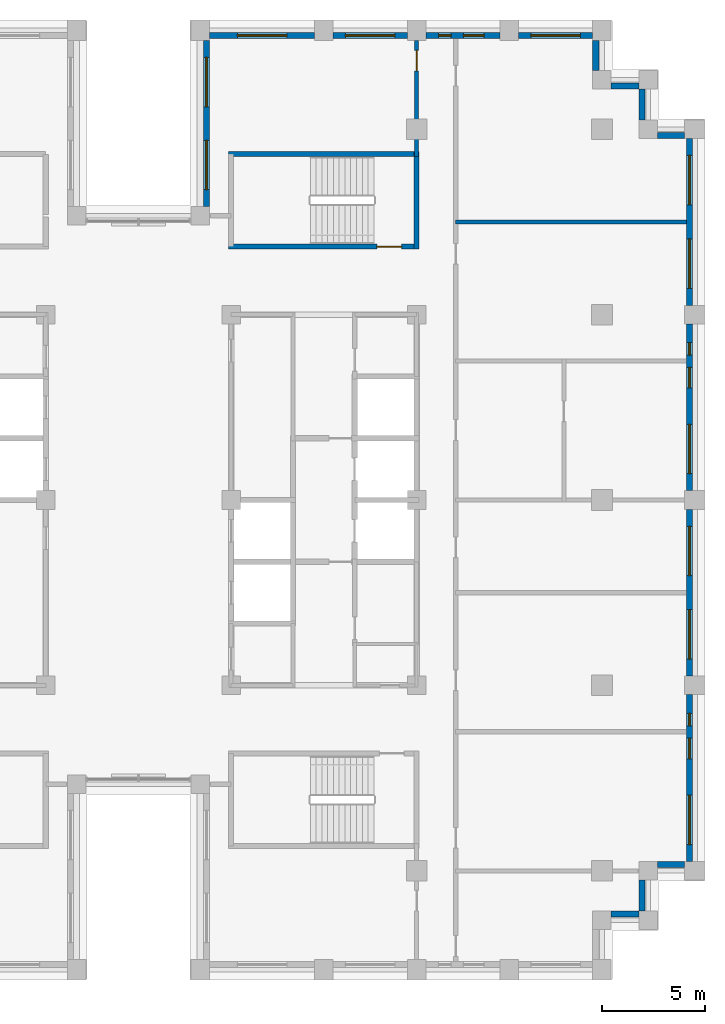
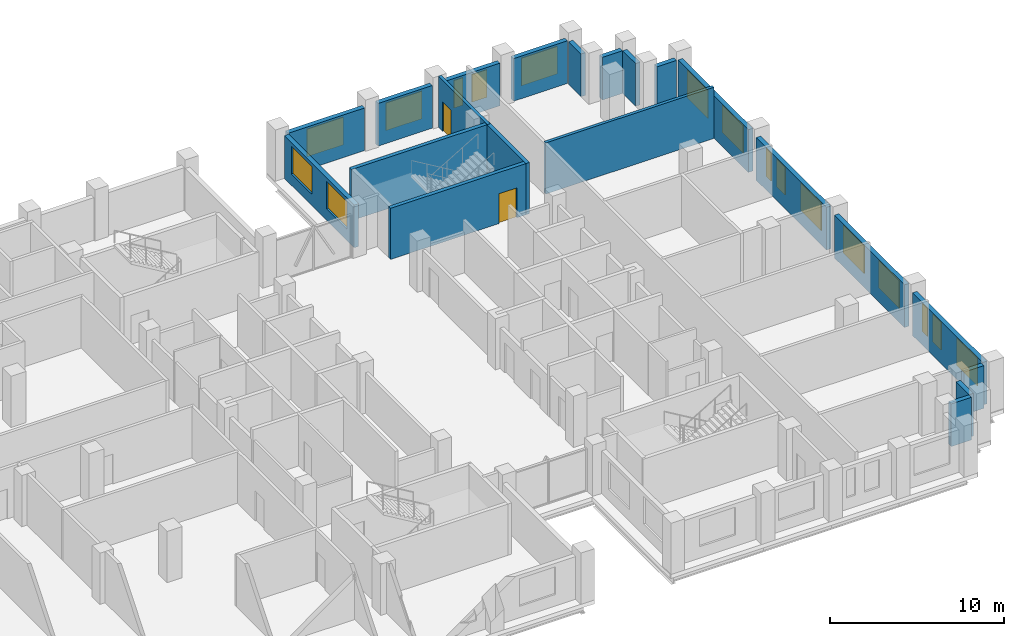
# One storey, part 11 of 15: 21 walls, 17 windows, 2 doors, 19 openings.
"""IFC4 building model written with IfcOpenShell, lengths in metres."""

from ifc_helpers import new_model, si_unit, direction, frame, frame_2d, origin, place, context, subcontext, project, spatial, rectangle, extrude, material, layer, layer_set, type_object, element, fill, save


model = new_model("IFC4")

# Units and contexts
model_context = context("Model", 3, precision=1e-05, world=origin(), true_north=direction((0.0, 1.0)))
body_context = subcontext(model_context, "Body", "Model", "MODEL_VIEW")
ifc_project = project(units=[si_unit("LENGTHUNIT", "METRE"), si_unit("AREAUNIT", "SQUARE_METRE"), si_unit("VOLUMEUNIT", "CUBIC_METRE"), si_unit("PLANEANGLEUNIT", "RADIAN"), si_unit("MASSUNIT", "GRAM", prefix="KILO")], contexts=[model_context])

# Site, building, storey
site_placement = place(None, origin())
site = spatial("IfcSite", under=ifc_project, at=site_placement, CompositionType="ELEMENT")
building_placement = place(site_placement, origin())
building = spatial("IfcBuilding", under=site, at=building_placement, Name="Corbelhall Arena Tower", CompositionType="ELEMENT")
storey_placement = place(building_placement, frame((0.0, 0.0, 232.0)))
storey = spatial("IfcBuildingStorey", under=building, at=storey_placement, Name="L49", CompositionType="ELEMENT", Elevation=232.0)

# Walls
ifc_material_1 = material(Name="Precast concrete C40/50 with granite facing", Category="masonry")
ifc_layer_1 = layer(ifc_material_1, 0.300048828125)
ifc_layer_set_1 = layer_set([ifc_layer_1], Name="EV-IW1 Infill panel 300")
wall_type_1 = type_object("IfcWallType", Name="EV-IW1 Infill panel 300", PredefinedType="SOLIDWALL", material=ifc_layer_set_1)
wall_1_placement = place(storey_placement, frame((22.949951171875, -20.10009765625, 0.0), z_axis=(0.0, 0.0, 1.0), x_axis=(1.0, 0.0, 0.0)))
element("IfcWall", 1, at=wall_1_placement, inside=storey, type_object=wall_type_1, Name="Infill panel IW1", PredefinedType="SOLIDWALL", context=body_context, shape_type="SweptSolid", body=[
    extrude(rectangle(XDim=1.35009765625, YDim=0.300048828125, at=frame_2d((0.675048828125, 0.0))), origin(), (0.0, 0.0, 1.0), 2.99951171875),
])
wall_2_placement = place(storey_placement, frame((24.449951171875, -19.949951171875, 0.0), z_axis=(0.0, 0.0, 1.0), x_axis=(0.0, 1.0, 0.0)))
element("IfcWall", 2, at=wall_2_placement, inside=storey, type_object=wall_type_1, Name="Infill panel IW1", PredefinedType="SOLIDWALL", context=body_context, shape_type="SweptSolid", body=[
    extrude(rectangle(XDim=1.5, YDim=0.300048828125, at=frame_2d((0.75, 0.0))), origin(), (0.0, 0.0, 1.0), 2.99951171875),
])
wall_3_placement = place(storey_placement, frame((25.199951171875, -17.699951171875, 0.0), z_axis=(0.0, 0.0, 1.0), x_axis=(1.0, 0.0, 0.0)))
element("IfcWall", 3, at=wall_3_placement, inside=storey, type_object=wall_type_1, Name="Infill panel IW1", PredefinedType="SOLIDWALL", context=body_context, shape_type="SweptSolid", body=[
    extrude(rectangle(XDim=1.300048828125, YDim=0.300048828125, at=frame_2d((0.64990234375, 0.0))), origin(), (0.0, 0.0, 1.0), 2.99951171875),
])

# Wall, openings, windows
wall_4_placement = place(storey_placement, frame((26.75, -17.550048828125, 0.0), z_axis=(0.0, 0.0, 1.0), x_axis=(0.0, 1.0, 0.0)))
wall_4 = element("IfcWall", 4, at=wall_4_placement, inside=storey, type_object=wall_type_1, Name="Infill panel IW1", PredefinedType="SOLIDWALL", context=body_context, shape_type="SweptSolid", body=[
    extrude(rectangle(XDim=8.10009765625, YDim=0.300048828125, at=frame_2d((4.050048828125, 0.0))), origin(), (0.0, 0.0, 1.0), 2.99951171875),
])
opening_1_placement = place(wall_4_placement, frame((0.824951171875, 0.0, 0.800048828125)))
opening_1 = element("IfcOpeningElement", 5, at=opening_1_placement, cuts=wall_4, Name="Opening WN1", PredefinedType="OPENING", context=body_context, shape_type="SweptSolid", body=[
    extrude(rectangle(XDim=2.39990234375, YDim=1.949951171875, at=frame_2d((1.199951171875, 0.97509765625))), frame((0.0, 0.14990234375, 0.0), z_axis=(0.0, -1.0, 0.0), x_axis=(1.0, 0.0, 0.0)), (0.0, 0.0, 1.0), 0.300048828125),
])
opening_2_placement = place(wall_4_placement, frame((4.987548828125, 0.0, 0.800048828125)))
opening_2 = element("IfcOpeningElement", 6, at=opening_2_placement, cuts=wall_4, Name="Opening WN6", PredefinedType="OPENING", context=body_context, shape_type="SweptSolid", body=[
    extrude(rectangle(XDim=1.0, YDim=1.949951171875, at=frame_2d((0.5, 0.97509765625))), frame((0.0, 0.14990234375, 0.0), z_axis=(0.0, -1.0, 0.0), x_axis=(1.0, 0.0, 0.0)), (0.0, 0.0, 1.0), 0.300048828125),
])
opening_3_placement = place(wall_4_placement, frame((6.58740234375, 0.0, 0.800048828125)))
opening_3 = element("IfcOpeningElement", 7, at=opening_3_placement, cuts=wall_4, Name="Opening WN5", PredefinedType="OPENING", context=body_context, shape_type="SweptSolid", body=[
    extrude(rectangle(XDim=0.60009765625, YDim=1.949951171875, at=frame_2d((0.300048828125, 0.97509765625))), frame((0.0, 0.14990234375, 0.0), z_axis=(0.0, -1.0, 0.0), x_axis=(1.0, 0.0, 0.0)), (0.0, 0.0, 1.0), 0.300048828125),
])
ifc_material_2 = material(Name="Aluminium black anodised", Category="aluminium")
window_type_1 = type_object("IfcWindowType", Name="EV-WN1 Office window", PartitioningType="SINGLE_PANEL", PredefinedType="WINDOW", material=ifc_material_2)
window_1_placement = place(opening_1_placement, origin())
window_1 = element("IfcWindow", 8, at=window_1_placement, inside=storey, type_object=window_type_1, Name="Window WN1", OverallHeight=1.949951171875, OverallWidth=2.39990234375, PartitioningType="SINGLE_PANEL", PredefinedType="WINDOW", context=body_context, shape_type="SweptSolid", body=[
    extrude(rectangle(XDim=2.39990234375, YDim=1.949951171875, at=frame_2d((1.199951171875, 0.97509765625))), frame((0.0, 0.030029296875, 0.0), z_axis=(0.0, -1.0, 0.0), x_axis=(1.0, 0.0, 0.0)), (0.0, 0.0, 1.0), 0.06005859375),
])
fill(opening_1, window_1)
window_type_2 = type_object("IfcWindowType", Name="EV-WN5 Office window 600", PartitioningType="SINGLE_PANEL", PredefinedType="WINDOW", material=ifc_material_2)
window_2_placement = place(opening_3_placement, origin())
window_2 = element("IfcWindow", 9, at=window_2_placement, inside=storey, type_object=window_type_2, Name="Window WN5", OverallHeight=1.949951171875, OverallWidth=0.60009765625, PartitioningType="SINGLE_PANEL", PredefinedType="WINDOW", context=body_context, shape_type="SweptSolid", body=[
    extrude(rectangle(XDim=0.60009765625, YDim=1.949951171875, at=frame_2d((0.300048828125, 0.97509765625))), frame((0.0, 0.030029296875, 0.0), z_axis=(0.0, -1.0, 0.0), x_axis=(1.0, 0.0, 0.0)), (0.0, 0.0, 1.0), 0.06005859375),
])
fill(opening_3, window_2)
window_type_3 = type_object("IfcWindowType", Name="EV-WN6 Office window 1000", PartitioningType="SINGLE_PANEL", PredefinedType="WINDOW", material=ifc_material_2)
window_3_placement = place(opening_2_placement, origin())
window_3 = element("IfcWindow", 10, at=window_3_placement, inside=storey, type_object=window_type_3, Name="Window WN6", OverallHeight=1.949951171875, OverallWidth=1.0, PartitioningType="SINGLE_PANEL", PredefinedType="WINDOW", context=body_context, shape_type="SweptSolid", body=[
    extrude(rectangle(XDim=1.0, YDim=1.949951171875, at=frame_2d((0.5, 0.97509765625))), frame((0.0, 0.030029296875, 0.0), z_axis=(0.0, -1.0, 0.0), x_axis=(1.0, 0.0, 0.0)), (0.0, 0.0, 1.0), 0.06005859375),
])
fill(opening_2, window_3)

wall_5_placement = place(storey_placement, frame((26.75, -8.550048828125, 0.0), z_axis=(0.0, 0.0, 1.0), x_axis=(0.0, 1.0, 0.0)))
wall_5 = element("IfcWall", 11, at=wall_5_placement, inside=storey, type_object=wall_type_1, Name="Infill panel IW1", PredefinedType="SOLIDWALL", context=body_context, shape_type="SweptSolid", body=[
    extrude(rectangle(XDim=8.10009765625, YDim=0.300048828125, at=frame_2d((4.050048828125, 0.0))), origin(), (0.0, 0.0, 1.0), 2.99951171875),
])
opening_4_placement = place(wall_5_placement, frame((0.824951171875, 0.0, 0.800048828125)))
opening_4 = element("IfcOpeningElement", 12, at=opening_4_placement, cuts=wall_5, Name="Opening WN1", PredefinedType="OPENING", context=body_context, shape_type="SweptSolid", body=[
    extrude(rectangle(XDim=2.39990234375, YDim=1.949951171875, at=frame_2d((1.199951171875, 0.97509765625))), frame((0.0, 0.14990234375, 0.0), z_axis=(0.0, -1.0, 0.0), x_axis=(1.0, 0.0, 0.0)), (0.0, 0.0, 1.0), 0.300048828125),
])
opening_5_placement = place(wall_5_placement, frame((4.875, 0.0, 0.800048828125)))
opening_5 = element("IfcOpeningElement", 13, at=opening_5_placement, cuts=wall_5, Name="Opening WN1", PredefinedType="OPENING", context=body_context, shape_type="SweptSolid", body=[
    extrude(rectangle(XDim=2.39990234375, YDim=1.949951171875, at=frame_2d((1.199951171875, 0.97509765625))), frame((0.0, 0.14990234375, 0.0), z_axis=(0.0, -1.0, 0.0), x_axis=(1.0, 0.0, 0.0)), (0.0, 0.0, 1.0), 0.300048828125),
])
window_4_placement = place(opening_4_placement, origin())
window_4 = element("IfcWindow", 14, at=window_4_placement, inside=storey, type_object=window_type_1, Name="Window WN1", OverallHeight=1.949951171875, OverallWidth=2.39990234375, PartitioningType="SINGLE_PANEL", PredefinedType="WINDOW", context=body_context, shape_type="SweptSolid", body=[
    extrude(rectangle(XDim=2.39990234375, YDim=1.949951171875, at=frame_2d((1.199951171875, 0.97509765625))), frame((0.0, 0.030029296875, 0.0), z_axis=(0.0, -1.0, 0.0), x_axis=(1.0, 0.0, 0.0)), (0.0, 0.0, 1.0), 0.06005859375),
])
fill(opening_4, window_4)
window_5_placement = place(opening_5_placement, origin())
window_5 = element("IfcWindow", 15, at=window_5_placement, inside=storey, type_object=window_type_1, Name="Window WN1", OverallHeight=1.949951171875, OverallWidth=2.39990234375, PartitioningType="SINGLE_PANEL", PredefinedType="WINDOW", context=body_context, shape_type="SweptSolid", body=[
    extrude(rectangle(XDim=2.39990234375, YDim=1.949951171875, at=frame_2d((1.199951171875, 0.97509765625))), frame((0.0, 0.030029296875, 0.0), z_axis=(0.0, -1.0, 0.0), x_axis=(1.0, 0.0, 0.0)), (0.0, 0.0, 1.0), 0.06005859375),
])
fill(opening_5, window_5)

wall_6_placement = place(storey_placement, frame((26.75, 0.449951171875, 0.0), z_axis=(0.0, 0.0, 1.0), x_axis=(0.0, 1.0, 0.0)))
wall_6 = element("IfcWall", 16, at=wall_6_placement, inside=storey, type_object=wall_type_1, Name="Infill panel IW1", PredefinedType="SOLIDWALL", context=body_context, shape_type="SweptSolid", body=[
    extrude(rectangle(XDim=8.10009765625, YDim=0.300048828125, at=frame_2d((4.050048828125, 0.0))), origin(), (0.0, 0.0, 1.0), 2.99951171875),
])
opening_6_placement = place(wall_6_placement, frame((0.824951171875, 0.0, 0.800048828125)))
opening_6 = element("IfcOpeningElement", 17, at=opening_6_placement, cuts=wall_6, Name="Opening WN1", PredefinedType="OPENING", context=body_context, shape_type="SweptSolid", body=[
    extrude(rectangle(XDim=2.39990234375, YDim=1.949951171875, at=frame_2d((1.199951171875, 0.97509765625))), frame((0.0, 0.14990234375, 0.0), z_axis=(0.0, -1.0, 0.0), x_axis=(1.0, 0.0, 0.0)), (0.0, 0.0, 1.0), 0.300048828125),
])
opening_7_placement = place(wall_6_placement, frame((4.987548828125, 0.0, 0.800048828125)))
opening_7 = element("IfcOpeningElement", 18, at=opening_7_placement, cuts=wall_6, Name="Opening WN6", PredefinedType="OPENING", context=body_context, shape_type="SweptSolid", body=[
    extrude(rectangle(XDim=1.0, YDim=1.949951171875, at=frame_2d((0.5, 0.97509765625))), frame((0.0, 0.14990234375, 0.0), z_axis=(0.0, -1.0, 0.0), x_axis=(1.0, 0.0, 0.0)), (0.0, 0.0, 1.0), 0.300048828125),
])
opening_8_placement = place(wall_6_placement, frame((6.58740234375, 0.0, 0.800048828125)))
opening_8 = element("IfcOpeningElement", 19, at=opening_8_placement, cuts=wall_6, Name="Opening WN5", PredefinedType="OPENING", context=body_context, shape_type="SweptSolid", body=[
    extrude(rectangle(XDim=0.60009765625, YDim=1.949951171875, at=frame_2d((0.300048828125, 0.97509765625))), frame((0.0, 0.14990234375, 0.0), z_axis=(0.0, -1.0, 0.0), x_axis=(1.0, 0.0, 0.0)), (0.0, 0.0, 1.0), 0.300048828125),
])
window_6_placement = place(opening_6_placement, origin())
window_6 = element("IfcWindow", 20, at=window_6_placement, inside=storey, type_object=window_type_1, Name="Window WN1", OverallHeight=1.949951171875, OverallWidth=2.39990234375, PartitioningType="SINGLE_PANEL", PredefinedType="WINDOW", context=body_context, shape_type="SweptSolid", body=[
    extrude(rectangle(XDim=2.39990234375, YDim=1.949951171875, at=frame_2d((1.199951171875, 0.97509765625))), frame((0.0, 0.030029296875, 0.0), z_axis=(0.0, -1.0, 0.0), x_axis=(1.0, 0.0, 0.0)), (0.0, 0.0, 1.0), 0.06005859375),
])
fill(opening_6, window_6)
window_7_placement = place(opening_8_placement, origin())
window_7 = element("IfcWindow", 21, at=window_7_placement, inside=storey, type_object=window_type_2, Name="Window WN5", OverallHeight=1.949951171875, OverallWidth=0.60009765625, PartitioningType="SINGLE_PANEL", PredefinedType="WINDOW", context=body_context, shape_type="SweptSolid", body=[
    extrude(rectangle(XDim=0.60009765625, YDim=1.949951171875, at=frame_2d((0.300048828125, 0.97509765625))), frame((0.0, 0.030029296875, 0.0), z_axis=(0.0, -1.0, 0.0), x_axis=(1.0, 0.0, 0.0)), (0.0, 0.0, 1.0), 0.06005859375),
])
fill(opening_8, window_7)
window_8_placement = place(opening_7_placement, origin())
window_8 = element("IfcWindow", 22, at=window_8_placement, inside=storey, type_object=window_type_3, Name="Window WN6", OverallHeight=1.949951171875, OverallWidth=1.0, PartitioningType="SINGLE_PANEL", PredefinedType="WINDOW", context=body_context, shape_type="SweptSolid", body=[
    extrude(rectangle(XDim=1.0, YDim=1.949951171875, at=frame_2d((0.5, 0.97509765625))), frame((0.0, 0.030029296875, 0.0), z_axis=(0.0, -1.0, 0.0), x_axis=(1.0, 0.0, 0.0)), (0.0, 0.0, 1.0), 0.06005859375),
])
fill(opening_7, window_8)

wall_7_placement = place(storey_placement, frame((26.75, 9.449951171875, 0.0), z_axis=(0.0, 0.0, 1.0), x_axis=(0.0, 1.0, 0.0)))
wall_7 = element("IfcWall", 23, at=wall_7_placement, inside=storey, type_object=wall_type_1, Name="Infill panel IW1", PredefinedType="SOLIDWALL", context=body_context, shape_type="SweptSolid", body=[
    extrude(rectangle(XDim=8.10009765625, YDim=0.300048828125, at=frame_2d((4.050048828125, 0.0))), origin(), (0.0, 0.0, 1.0), 2.99951171875),
])
opening_9_placement = place(wall_7_placement, frame((0.824951171875, 0.0, 0.800048828125)))
opening_9 = element("IfcOpeningElement", 24, at=opening_9_placement, cuts=wall_7, Name="Opening WN1", PredefinedType="OPENING", context=body_context, shape_type="SweptSolid", body=[
    extrude(rectangle(XDim=2.39990234375, YDim=1.949951171875, at=frame_2d((1.199951171875, 0.97509765625))), frame((0.0, 0.14990234375, 0.0), z_axis=(0.0, -1.0, 0.0), x_axis=(1.0, 0.0, 0.0)), (0.0, 0.0, 1.0), 0.300048828125),
])
opening_10_placement = place(wall_7_placement, frame((4.875, 0.0, 0.800048828125)))
opening_10 = element("IfcOpeningElement", 25, at=opening_10_placement, cuts=wall_7, Name="Opening WN1", PredefinedType="OPENING", context=body_context, shape_type="SweptSolid", body=[
    extrude(rectangle(XDim=2.39990234375, YDim=1.949951171875, at=frame_2d((1.199951171875, 0.97509765625))), frame((0.0, 0.14990234375, 0.0), z_axis=(0.0, -1.0, 0.0), x_axis=(1.0, 0.0, 0.0)), (0.0, 0.0, 1.0), 0.300048828125),
])
window_9_placement = place(opening_9_placement, origin())
window_9 = element("IfcWindow", 26, at=window_9_placement, inside=storey, type_object=window_type_1, Name="Window WN1", OverallHeight=1.949951171875, OverallWidth=2.39990234375, PartitioningType="SINGLE_PANEL", PredefinedType="WINDOW", context=body_context, shape_type="SweptSolid", body=[
    extrude(rectangle(XDim=2.39990234375, YDim=1.949951171875, at=frame_2d((1.199951171875, 0.97509765625))), frame((0.0, 0.030029296875, 0.0), z_axis=(0.0, -1.0, 0.0), x_axis=(1.0, 0.0, 0.0)), (0.0, 0.0, 1.0), 0.06005859375),
])
fill(opening_9, window_9)
window_10_placement = place(opening_10_placement, origin())
window_10 = element("IfcWindow", 27, at=window_10_placement, inside=storey, type_object=window_type_1, Name="Window WN1", OverallHeight=1.949951171875, OverallWidth=2.39990234375, PartitioningType="SINGLE_PANEL", PredefinedType="WINDOW", context=body_context, shape_type="SweptSolid", body=[
    extrude(rectangle(XDim=2.39990234375, YDim=1.949951171875, at=frame_2d((1.199951171875, 0.97509765625))), frame((0.0, 0.030029296875, 0.0), z_axis=(0.0, -1.0, 0.0), x_axis=(1.0, 0.0, 0.0)), (0.0, 0.0, 1.0), 0.06005859375),
])
fill(opening_10, window_10)

# Walls
wall_8_placement = place(storey_placement, frame((26.5, 17.699951171875, 0.0), z_axis=(0.0, 0.0, 1.0), x_axis=(-1.0, 0.0, 0.0)))
element("IfcWall", 28, at=wall_8_placement, inside=storey, type_object=wall_type_1, Name="Infill panel IW1", PredefinedType="SOLIDWALL", context=body_context, shape_type="SweptSolid", body=[
    extrude(rectangle(XDim=1.300048828125, YDim=0.300048828125, at=frame_2d((0.64990234375, 0.0))), origin(), (0.0, 0.0, 1.0), 2.99951171875),
])
wall_9_placement = place(storey_placement, frame((24.449951171875, 18.449951171875, 0.0), z_axis=(0.0, 0.0, 1.0), x_axis=(0.0, 1.0, 0.0)))
element("IfcWall", 29, at=wall_9_placement, inside=storey, type_object=wall_type_1, Name="Infill panel IW1", PredefinedType="SOLIDWALL", context=body_context, shape_type="SweptSolid", body=[
    extrude(rectangle(XDim=1.5, YDim=0.300048828125, at=frame_2d((0.75, 0.0))), origin(), (0.0, 0.0, 1.0), 2.99951171875),
])
wall_10_placement = place(storey_placement, frame((24.300048828125, 20.10009765625, 0.0), z_axis=(0.0, 0.0, 1.0), x_axis=(-1.0, 0.0, 0.0)))
element("IfcWall", 30, at=wall_10_placement, inside=storey, type_object=wall_type_1, Name="Infill panel IW1", PredefinedType="SOLIDWALL", context=body_context, shape_type="SweptSolid", body=[
    extrude(rectangle(XDim=1.35009765625, YDim=0.300048828125, at=frame_2d((0.675048828125, 0.0))), origin(), (0.0, 0.0, 1.0), 2.99951171875),
])
wall_11_placement = place(storey_placement, frame((22.199951171875, 20.85009765625, 0.0), z_axis=(0.0, 0.0, 1.0), x_axis=(0.0, 1.0, 0.0)))
element("IfcWall", 31, at=wall_11_placement, inside=storey, type_object=wall_type_1, Name="Infill panel IW1", PredefinedType="SOLIDWALL", context=body_context, shape_type="SweptSolid", body=[
    extrude(rectangle(XDim=1.449951171875, YDim=0.300048828125, at=frame_2d((0.72509765625, 0.0))), origin(), (0.0, 0.0, 1.0), 2.99951171875),
])

# Wall, opening, window
wall_12_placement = place(storey_placement, frame((22.050048828125, 22.550048828125, 0.0), z_axis=(0.0, 0.0, 1.0), x_axis=(-1.0, 0.0, 0.0)))
wall_12 = element("IfcWall", 32, at=wall_12_placement, inside=storey, type_object=wall_type_1, Name="Infill panel IW1", PredefinedType="SOLIDWALL", context=body_context, shape_type="SweptSolid", body=[
    extrude(rectangle(XDim=3.60009765625, YDim=0.300048828125, at=frame_2d((1.800048828125, 0.0))), origin(), (0.0, 0.0, 1.0), 2.99951171875),
])
opening_11_placement = place(wall_12_placement, frame((0.60009765625, 0.0, 0.800048828125)))
opening_11 = element("IfcOpeningElement", 33, at=opening_11_placement, cuts=wall_12, Name="Opening WN1", PredefinedType="OPENING", context=body_context, shape_type="SweptSolid", body=[
    extrude(rectangle(XDim=2.39990234375, YDim=1.949951171875, at=frame_2d((1.199951171875, 0.97509765625))), frame((0.0, 0.14990234375, 0.0), z_axis=(0.0, -1.0, 0.0), x_axis=(1.0, 0.0, 0.0)), (0.0, 0.0, 1.0), 0.300048828125),
])
window_11_placement = place(opening_11_placement, origin())
window_11 = element("IfcWindow", 34, at=window_11_placement, inside=storey, type_object=window_type_1, Name="Window WN1", OverallHeight=1.949951171875, OverallWidth=2.39990234375, PartitioningType="SINGLE_PANEL", PredefinedType="WINDOW", context=body_context, shape_type="SweptSolid", body=[
    extrude(rectangle(XDim=2.39990234375, YDim=1.949951171875, at=frame_2d((1.199951171875, 0.97509765625))), frame((0.0, 0.030029296875, 0.0), z_axis=(0.0, -1.0, 0.0), x_axis=(1.0, 0.0, 0.0)), (0.0, 0.0, 1.0), 0.06005859375),
])
fill(opening_11, window_11)

# Wall, openings, windows
wall_13_placement = place(storey_placement, frame((17.550048828125, 22.550048828125, 0.0), z_axis=(0.0, 0.0, 1.0), x_axis=(-1.0, 0.0, 0.0)))
wall_13 = element("IfcWall", 35, at=wall_13_placement, inside=storey, type_object=wall_type_1, Name="Infill panel IW1", PredefinedType="SOLIDWALL", context=body_context, shape_type="SweptSolid", body=[
    extrude(rectangle(XDim=3.60009765625, YDim=0.300048828125, at=frame_2d((1.800048828125, 0.0))), origin(), (0.0, 0.0, 1.0), 2.99951171875),
])
opening_12_placement = place(wall_13_placement, frame((0.77490234375, 0.0, 0.800048828125)))
opening_12 = element("IfcOpeningElement", 36, at=opening_12_placement, cuts=wall_13, Name="Opening WN6", PredefinedType="OPENING", context=body_context, shape_type="SweptSolid", body=[
    extrude(rectangle(XDim=1.0, YDim=1.949951171875, at=frame_2d((0.5, 0.97509765625))), frame((0.0, 0.14990234375, 0.0), z_axis=(0.0, -1.0, 0.0), x_axis=(1.0, 0.0, 0.0)), (0.0, 0.0, 1.0), 0.300048828125),
])
opening_13_placement = place(wall_13_placement, frame((2.375, 0.0, 0.800048828125)))
opening_13 = element("IfcOpeningElement", 37, at=opening_13_placement, cuts=wall_13, Name="Opening WN5", PredefinedType="OPENING", context=body_context, shape_type="SweptSolid", body=[
    extrude(rectangle(XDim=0.60009765625, YDim=1.949951171875, at=frame_2d((0.300048828125, 0.97509765625))), frame((0.0, 0.14990234375, 0.0), z_axis=(0.0, -1.0, 0.0), x_axis=(1.0, 0.0, 0.0)), (0.0, 0.0, 1.0), 0.300048828125),
])
window_12_placement = place(opening_13_placement, origin())
window_12 = element("IfcWindow", 38, at=window_12_placement, inside=storey, type_object=window_type_2, Name="Window WN5", OverallHeight=1.949951171875, OverallWidth=0.60009765625, PartitioningType="SINGLE_PANEL", PredefinedType="WINDOW", context=body_context, shape_type="SweptSolid", body=[
    extrude(rectangle(XDim=0.60009765625, YDim=1.949951171875, at=frame_2d((0.300048828125, 0.97509765625))), frame((0.0, 0.030029296875, 0.0), z_axis=(0.0, -1.0, 0.0), x_axis=(1.0, 0.0, 0.0)), (0.0, 0.0, 1.0), 0.06005859375),
])
fill(opening_13, window_12)
window_13_placement = place(opening_12_placement, origin())
window_13 = element("IfcWindow", 39, at=window_13_placement, inside=storey, type_object=window_type_3, Name="Window WN6", OverallHeight=1.949951171875, OverallWidth=1.0, PartitioningType="SINGLE_PANEL", PredefinedType="WINDOW", context=body_context, shape_type="SweptSolid", body=[
    extrude(rectangle(XDim=1.0, YDim=1.949951171875, at=frame_2d((0.5, 0.97509765625))), frame((0.0, 0.030029296875, 0.0), z_axis=(0.0, -1.0, 0.0), x_axis=(1.0, 0.0, 0.0)), (0.0, 0.0, 1.0), 0.06005859375),
])
fill(opening_12, window_13)

# Wall, opening, window
wall_14_placement = place(storey_placement, frame((13.050048828125, 22.550048828125, 0.0), z_axis=(0.0, 0.0, 1.0), x_axis=(-1.0, 0.0, 0.0)))
wall_14 = element("IfcWall", 40, at=wall_14_placement, inside=storey, type_object=wall_type_1, Name="Infill panel IW1", PredefinedType="SOLIDWALL", context=body_context, shape_type="SweptSolid", body=[
    extrude(rectangle(XDim=3.60009765625, YDim=0.300048828125, at=frame_2d((1.800048828125, 0.0))), origin(), (0.0, 0.0, 1.0), 2.99951171875),
])
opening_14_placement = place(wall_14_placement, frame((0.60009765625, 0.0, 0.800048828125)))
opening_14 = element("IfcOpeningElement", 41, at=opening_14_placement, cuts=wall_14, Name="Opening WN1", PredefinedType="OPENING", context=body_context, shape_type="SweptSolid", body=[
    extrude(rectangle(XDim=2.39990234375, YDim=1.949951171875, at=frame_2d((1.199951171875, 0.97509765625))), frame((0.0, 0.14990234375, 0.0), z_axis=(0.0, -1.0, 0.0), x_axis=(1.0, 0.0, 0.0)), (0.0, 0.0, 1.0), 0.300048828125),
])
window_14_placement = place(opening_14_placement, origin())
window_14 = element("IfcWindow", 42, at=window_14_placement, inside=storey, type_object=window_type_1, Name="Window WN1", OverallHeight=1.949951171875, OverallWidth=2.39990234375, PartitioningType="SINGLE_PANEL", PredefinedType="WINDOW", context=body_context, shape_type="SweptSolid", body=[
    extrude(rectangle(XDim=2.39990234375, YDim=1.949951171875, at=frame_2d((1.199951171875, 0.97509765625))), frame((0.0, 0.030029296875, 0.0), z_axis=(0.0, -1.0, 0.0), x_axis=(1.0, 0.0, 0.0)), (0.0, 0.0, 1.0), 0.06005859375),
])
fill(opening_14, window_14)

wall_15_placement = place(storey_placement, frame((8.550048828125, 22.550048828125, 0.0), z_axis=(0.0, 0.0, 1.0), x_axis=(-1.0, 0.0, 0.0)))
wall_15 = element("IfcWall", 43, at=wall_15_placement, inside=storey, type_object=wall_type_1, Name="Infill panel IW1", PredefinedType="SOLIDWALL", context=body_context, shape_type="SweptSolid", body=[
    extrude(rectangle(XDim=5.10009765625, YDim=0.300048828125, at=frame_2d((2.550048828125, 0.0))), origin(), (0.0, 0.0, 1.0), 2.99951171875),
])
opening_15_placement = place(wall_15_placement, frame((1.35009765625, 0.0, 0.800048828125)))
opening_15 = element("IfcOpeningElement", 44, at=opening_15_placement, cuts=wall_15, Name="Opening WN1", PredefinedType="OPENING", context=body_context, shape_type="SweptSolid", body=[
    extrude(rectangle(XDim=2.39990234375, YDim=1.949951171875, at=frame_2d((1.199951171875, 0.97509765625))), frame((0.0, 0.14990234375, 0.0), z_axis=(0.0, -1.0, 0.0), x_axis=(1.0, 0.0, 0.0)), (0.0, 0.0, 1.0), 0.300048828125),
])
window_15_placement = place(opening_15_placement, origin())
window_15 = element("IfcWindow", 45, at=window_15_placement, inside=storey, type_object=window_type_1, Name="Window WN1", OverallHeight=1.949951171875, OverallWidth=2.39990234375, PartitioningType="SINGLE_PANEL", PredefinedType="WINDOW", context=body_context, shape_type="SweptSolid", body=[
    extrude(rectangle(XDim=2.39990234375, YDim=1.949951171875, at=frame_2d((1.199951171875, 0.97509765625))), frame((0.0, 0.030029296875, 0.0), z_axis=(0.0, -1.0, 0.0), x_axis=(1.0, 0.0, 0.0)), (0.0, 0.0, 1.0), 0.06005859375),
])
fill(opening_15, window_15)

# Wall, openings, windows
wall_16_placement = place(storey_placement, frame((3.300048828125, 22.300048828125, 0.0), z_axis=(0.0, 0.0, 1.0), x_axis=(0.0, -1.0, 0.0)))
wall_16 = element("IfcWall", 46, at=wall_16_placement, inside=storey, type_object=wall_type_1, Name="Infill panel IW1", PredefinedType="SOLIDWALL", context=body_context, shape_type="SweptSolid", body=[
    extrude(rectangle(XDim=8.050048828125, YDim=0.300048828125, at=frame_2d((4.02490234375, 0.0))), origin(), (0.0, 0.0, 1.0), 2.99951171875),
])
opening_16_placement = place(wall_16_placement, frame((0.8125, 0.0, 0.800048828125)))
opening_16 = element("IfcOpeningElement", 47, at=opening_16_placement, cuts=wall_16, Name="Opening WN1", PredefinedType="OPENING", context=body_context, shape_type="SweptSolid", body=[
    extrude(rectangle(XDim=2.39990234375, YDim=1.949951171875, at=frame_2d((1.199951171875, 0.97509765625))), frame((0.0, 0.14990234375, 0.0), z_axis=(0.0, -1.0, 0.0), x_axis=(1.0, 0.0, 0.0)), (0.0, 0.0, 1.0), 0.300048828125),
])
opening_17_placement = place(wall_16_placement, frame((4.83740234375, 0.0, 0.800048828125)))
opening_17 = element("IfcOpeningElement", 48, at=opening_17_placement, cuts=wall_16, Name="Opening WN1", PredefinedType="OPENING", context=body_context, shape_type="SweptSolid", body=[
    extrude(rectangle(XDim=2.39990234375, YDim=1.949951171875, at=frame_2d((1.199951171875, 0.97509765625))), frame((0.0, 0.14990234375, 0.0), z_axis=(0.0, -1.0, 0.0), x_axis=(1.0, 0.0, 0.0)), (0.0, 0.0, 1.0), 0.300048828125),
])
window_16_placement = place(opening_16_placement, origin())
window_16 = element("IfcWindow", 49, at=window_16_placement, inside=storey, type_object=window_type_1, Name="Window WN1", OverallHeight=1.949951171875, OverallWidth=2.39990234375, PartitioningType="SINGLE_PANEL", PredefinedType="WINDOW", context=body_context, shape_type="SweptSolid", body=[
    extrude(rectangle(XDim=2.39990234375, YDim=1.949951171875, at=frame_2d((1.199951171875, 0.97509765625))), frame((0.0, 0.030029296875, 0.0), z_axis=(0.0, -1.0, 0.0), x_axis=(1.0, 0.0, 0.0)), (0.0, 0.0, 1.0), 0.06005859375),
])
fill(opening_16, window_16)
window_17_placement = place(opening_17_placement, origin())
window_17 = element("IfcWindow", 50, at=window_17_placement, inside=storey, type_object=window_type_1, Name="Window WN1", OverallHeight=1.949951171875, OverallWidth=2.39990234375, PartitioningType="SINGLE_PANEL", PredefinedType="WINDOW", context=body_context, shape_type="SweptSolid", body=[
    extrude(rectangle(XDim=2.39990234375, YDim=1.949951171875, at=frame_2d((1.199951171875, 0.97509765625))), frame((0.0, 0.030029296875, 0.0), z_axis=(0.0, -1.0, 0.0), x_axis=(1.0, 0.0, 0.0)), (0.0, 0.0, 1.0), 0.06005859375),
])
fill(opening_17, window_17)

# Wall, opening, door
ifc_material_3 = material(Name="Gypsum board on steel stud, acoustic", Category="steel")
ifc_layer_2 = layer(ifc_material_3, 0.199951171875)
ifc_layer_set_2 = layer_set([ifc_layer_2], Name="IN-W-DM200")
wall_type_2 = type_object("IfcWallType", Name="IN-W-DM200", PredefinedType="PARTITIONING", material=ifc_layer_set_2)
wall_17_placement = place(storey_placement, frame((13.5, 16.675048828125, 0.0), z_axis=(0.0, 0.0, 1.0), x_axis=(0.0, 1.0, 0.0)))
wall_17 = element("IfcWall", 51, at=wall_17_placement, inside=storey, type_object=wall_type_2, Name="Partition 025", PredefinedType="PARTITIONING", context=body_context, shape_type="SweptSolid", body=[
    extrude(rectangle(XDim=5.625, YDim=0.199951171875, at=frame_2d((2.8125, 0.0))), origin(), (0.0, 0.0, 1.0), 3.599609375),
])
opening_18_placement = place(wall_17_placement, frame((4.14990234375, 0.0, 0.0)))
opening_18 = element("IfcOpeningElement", 52, at=opening_18_placement, cuts=wall_17, Name="Opening 15021", PredefinedType="OPENING", context=body_context, shape_type="SweptSolid", body=[
    extrude(rectangle(XDim=1.0, YDim=2.10009765625, at=frame_2d((0.5, 1.050048828125))), frame((0.0, 0.10009765625, 0.0), z_axis=(0.0, -1.0, 0.0), x_axis=(1.0, 0.0, 0.0)), (0.0, 0.0, 1.0), 0.199951171875),
])
ifc_material_4 = material(Name="Steel door set", Category="steel")
door_type_1 = type_object("IfcDoorType", Name="IN-D-SW100", OperationType="NOTDEFINED", PredefinedType="DOOR", material=ifc_material_4)
door_1_placement = place(opening_18_placement, origin())
door_1 = element("IfcDoor", 53, at=door_1_placement, inside=storey, type_object=door_type_1, Name="Door 021", OperationType="SINGLE_SWING_RIGHT", OverallHeight=2.10009765625, OverallWidth=1.0, PredefinedType="DOOR", context=body_context, shape_type="SweptSolid", body=[
    extrude(rectangle(XDim=1.0, YDim=2.10009765625, at=frame_2d((0.5, 1.050048828125))), frame((0.0, 0.02490234375, 0.0), z_axis=(0.0, -1.0, 0.0), x_axis=(1.0, 0.0, 0.0)), (0.0, 0.0, 1.0), 0.050048828125),
])
fill(opening_18, door_1)

# Wall
wall_18_placement = place(storey_placement, frame((15.39990234375, 13.5, 0.0), z_axis=(0.0, 0.0, 1.0), x_axis=(1.0, 0.0, 0.0)))
element("IfcWall", 54, at=wall_18_placement, inside=storey, type_object=wall_type_2, Name="Partition 031", PredefinedType="PARTITIONING", context=body_context, shape_type="SweptSolid", body=[
    extrude(rectangle(XDim=11.2001953125, YDim=0.199951171875, at=frame_2d((5.60009765625, 0.0))), origin(), (0.0, 0.0, 1.0), 3.599609375),
])

# Wall, opening, door
ifc_material_5 = material(Name="Concrete C40/50", Category="concrete")
ifc_layer_3 = layer(ifc_material_5, 0.25)
ifc_layer_set_3 = layer_set([ifc_layer_3], Name="IN-W-ST250")
wall_type_3 = type_object("IfcWallType", Name="IN-W-ST250", PredefinedType="SOLIDWALL", material=ifc_layer_set_3)
wall_19_placement = place(storey_placement, frame((4.375, 12.300048828125, 0.0), z_axis=(0.0, 0.0, 1.0), x_axis=(1.0, 0.0, 0.0)))
wall_19 = element("IfcWall", 55, at=wall_19_placement, inside=storey, type_object=wall_type_3, Name="Shaft wall 088", PredefinedType="SOLIDWALL", context=body_context, shape_type="SweptSolid", body=[
    extrude(rectangle(XDim=9.125, YDim=0.25, at=frame_2d((4.5625, 0.0))), origin(), (0.0, 0.0, 1.0), 3.599609375),
])
opening_19_placement = place(wall_19_placement, frame((7.199951171875, 0.0, 0.0)))
opening_19 = element("IfcOpeningElement", 56, at=opening_19_placement, cuts=wall_19, Name="Opening 15017", PredefinedType="OPENING", context=body_context, shape_type="SweptSolid", body=[
    extrude(rectangle(XDim=1.199951171875, YDim=2.10009765625, at=frame_2d((0.60009765625, 1.050048828125))), frame((0.0, 0.125, 0.0), z_axis=(0.0, -1.0, 0.0), x_axis=(1.0, 0.0, 0.0)), (0.0, 0.0, 1.0), 0.25),
])
door_type_2 = type_object("IfcDoorType", Name="IN-D-ST120", OperationType="NOTDEFINED", PredefinedType="DOOR", material=ifc_material_4)
door_2_placement = place(opening_19_placement, origin())
door_2 = element("IfcDoor", 57, at=door_2_placement, inside=storey, type_object=door_type_2, Name="Door 017", OperationType="SINGLE_SWING_RIGHT", OverallHeight=2.10009765625, OverallWidth=1.199951171875, PredefinedType="DOOR", context=body_context, shape_type="SweptSolid", body=[
    extrude(rectangle(XDim=1.199951171875, YDim=2.10009765625, at=frame_2d((0.60009765625, 1.050048828125))), frame((0.0, 0.02490234375, 0.0), z_axis=(0.0, -1.0, 0.0), x_axis=(1.0, 0.0, 0.0)), (0.0, 0.0, 1.0), 0.050048828125),
])
fill(opening_19, door_2)

# Walls
wall_20_placement = place(storey_placement, frame((4.375, 16.800048828125, 0.0), z_axis=(0.0, 0.0, 1.0), x_axis=(1.0, 0.0, 0.0)))
element("IfcWall", 58, at=wall_20_placement, inside=storey, type_object=wall_type_3, Name="Shaft wall 089", PredefinedType="SOLIDWALL", context=body_context, shape_type="SweptSolid", body=[
    extrude(rectangle(XDim=9.125, YDim=0.25, at=frame_2d((4.5625, 0.0))), origin(), (0.0, 0.0, 1.0), 3.599609375),
])
wall_21_placement = place(storey_placement, frame((13.5, 12.175048828125, 0.0), z_axis=(0.0, 0.0, 1.0), x_axis=(0.0, 1.0, 0.0)))
element("IfcWall", 59, at=wall_21_placement, inside=storey, type_object=wall_type_3, Name="Shaft wall 095", PredefinedType="SOLIDWALL", context=body_context, shape_type="SweptSolid", body=[
    extrude(rectangle(XDim=4.75, YDim=0.25, at=frame_2d((2.375, 0.0))), origin(), (0.0, 0.0, 1.0), 3.599609375),
])

save(model, "model.ifc")
